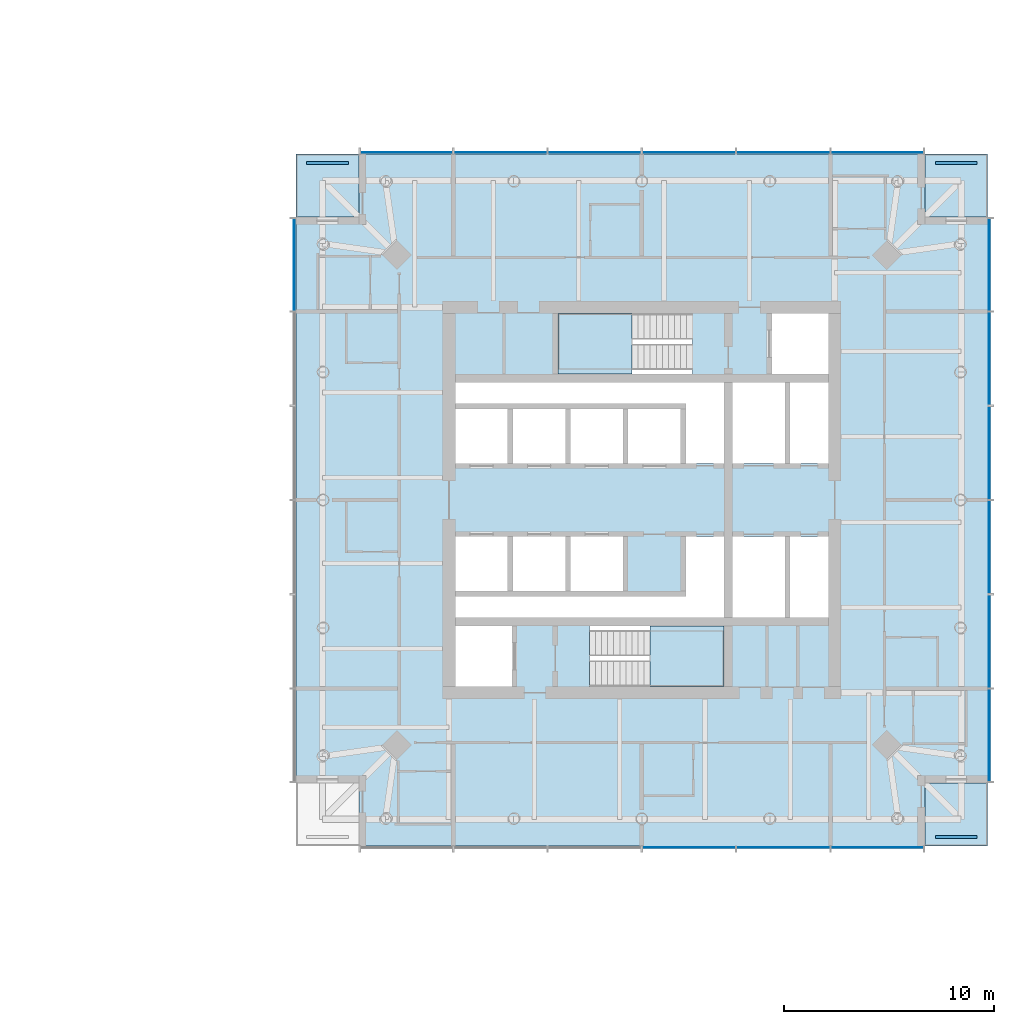
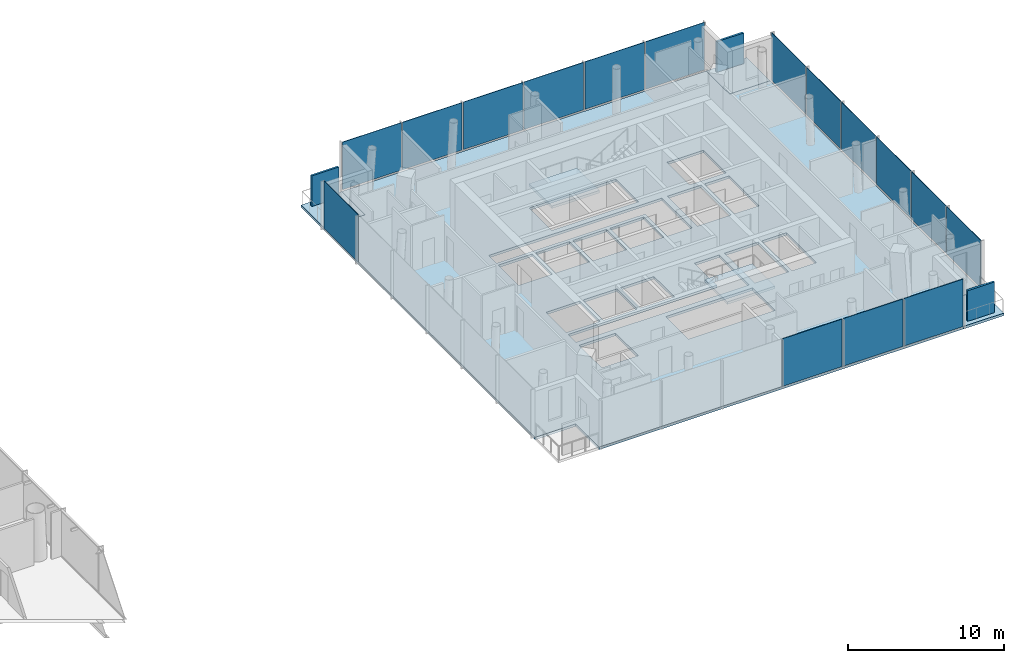
# One storey, part 8 of 20: 19 plates, 6 slabs, 6 elements without a shape of their own.
"""IFC4 building model written with IfcOpenShell, lengths in metres."""

from ifc_helpers import new_model, si_unit, direction, frame, origin, origin_2d, place, context, subcontext, project, spatial, polyline, rectangle, outline, extrude, material, layer, layer_set, type_object, element, aggregate, save


model = new_model("IFC4")

# Units and contexts
model_context = context("Model", 3, precision=1e-05, world=origin(), true_north=direction((0.0, 1.0)))
body_context = subcontext(model_context, "Body", "Model", "MODEL_VIEW")
ifc_project = project(units=[si_unit("LENGTHUNIT", "METRE"), si_unit("AREAUNIT", "SQUARE_METRE"), si_unit("VOLUMEUNIT", "CUBIC_METRE"), si_unit("PLANEANGLEUNIT", "RADIAN"), si_unit("MASSUNIT", "GRAM", prefix="KILO")], contexts=[model_context])

# Site, building, storey
site_placement = place(None, origin())
site = spatial("IfcSite", under=ifc_project, at=site_placement, CompositionType="ELEMENT")
building_placement = place(site_placement, origin())
building = spatial("IfcBuilding", under=site, at=building_placement, Name="Ostroluk Exchange", CompositionType="ELEMENT")
storey_placement = place(building_placement, frame((0.0, 0.0, 108.39990234375)))
storey = spatial("IfcBuildingStorey", under=building, at=storey_placement, Name="L27", CompositionType="ELEMENT", Elevation=108.39990234375)

# Curtain wall, plates
ifc_material_1 = material(Name="Laminated clear glass", Category="glass")
curtain_wall_type = type_object("IfcCurtainWallType", Name="Hotel guest floor facade", PredefinedType="USERDEFINED", material=ifc_material_1)
curtain_wall_1_placement = place(storey_placement, origin())
curtain_wall_1 = element("IfcCurtainWall", 1, at=curtain_wall_1_placement, inside=storey, type_object=curtain_wall_type, Name="Hotel tower south facade L27", ObjectType="UNITISED CURTAIN WALL", PredefinedType="USERDEFINED")
ifc_material_2 = material(Name="Laminated clear glass", Category="glass")
ifc_layer_1 = layer(ifc_material_2, 0.0400390625)
ifc_layer_set_1 = layer_set([ifc_layer_1], Name="Acoustic laminated glazing 40")
plate_type_1 = type_object("IfcPlateType", Name="Acoustic laminated glazing 40", PredefinedType="CURTAIN_PANEL", material=ifc_layer_set_1)
plate_1_placement = place(storey_placement, frame((119.25, 29.425048828125, 0.080078125), z_axis=(0.0, 0.0, 1.0), x_axis=(1.0, 0.0, 0.0)))
plate_1 = element("IfcPlate", 2, at=plate_1_placement, type_object=plate_type_1, Name="CW-H1 panel 4.1", PredefinedType="CURTAIN_PANEL", context=body_context, shape_type="SweptSolid", body=[
    extrude(rectangle(XDim=4.419921875, YDim=0.0400390625, at=origin_2d()), origin(), (0.0, 0.0, 1.0), 3.719970703125),
])
plate_2_placement = place(storey_placement, frame((123.75, 29.425048828125, 0.080078125), z_axis=(0.0, 0.0, 1.0), x_axis=(1.0, 0.0, 0.0)))
plate_2 = element("IfcPlate", 3, at=plate_2_placement, type_object=plate_type_1, Name="CW-H1 panel 5.1", PredefinedType="CURTAIN_PANEL", context=body_context, shape_type="SweptSolid", body=[
    extrude(rectangle(XDim=4.419921875, YDim=0.0400390625, at=origin_2d()), origin(), (0.0, 0.0, 1.0), 3.719970703125),
])
plate_3_placement = place(storey_placement, frame((128.22998046875, 29.425048828125, 0.080078125), z_axis=(0.0, 0.0, 1.0), x_axis=(1.0, 0.0, 0.0)))
plate_3 = element("IfcPlate", 4, at=plate_3_placement, type_object=plate_type_1, Name="CW-H1 panel 6.1", PredefinedType="CURTAIN_PANEL", context=body_context, shape_type="SweptSolid", body=[
    extrude(rectangle(XDim=4.3798828125, YDim=0.0400390625, at=origin_2d()), origin(), (0.0, 0.0, 1.0), 3.719970703125),
])
aggregate(curtain_wall_1, [plate_1, plate_2, plate_3])

curtain_wall_2_placement = place(storey_placement, origin())
curtain_wall_2 = element("IfcCurtainWall", 5, at=curtain_wall_2_placement, inside=storey, type_object=curtain_wall_type, Name="Hotel tower east facade L27", ObjectType="UNITISED CURTAIN WALL", PredefinedType="USERDEFINED")
plate_4_placement = place(storey_placement, frame((133.574951171875, 34.77001953125, 0.080078125), z_axis=(0.0, 0.0, 1.0), x_axis=(0.0, 1.0, 0.0)))
plate_4 = element("IfcPlate", 6, at=plate_4_placement, type_object=plate_type_1, Name="CW-H1 panel 1.1", PredefinedType="CURTAIN_PANEL", context=body_context, shape_type="SweptSolid", body=[
    extrude(rectangle(XDim=4.3798828125, YDim=0.0400390625, at=origin_2d()), origin(), (0.0, 0.0, 1.0), 3.719970703125),
])
plate_5_placement = place(storey_placement, frame((133.574951171875, 39.25, 0.080078125), z_axis=(0.0, 0.0, 1.0), x_axis=(0.0, 1.0, 0.0)))
plate_5 = element("IfcPlate", 7, at=plate_5_placement, type_object=plate_type_1, Name="CW-H1 panel 2.1", PredefinedType="CURTAIN_PANEL", context=body_context, shape_type="SweptSolid", body=[
    extrude(rectangle(XDim=4.419921875, YDim=0.0400390625, at=origin_2d()), origin(), (0.0, 0.0, 1.0), 3.719970703125),
])
plate_6_placement = place(storey_placement, frame((133.574951171875, 43.75, 0.080078125), z_axis=(0.0, 0.0, 1.0), x_axis=(0.0, 1.0, 0.0)))
plate_6 = element("IfcPlate", 8, at=plate_6_placement, type_object=plate_type_1, Name="CW-H1 panel 3.1", PredefinedType="CURTAIN_PANEL", context=body_context, shape_type="SweptSolid", body=[
    extrude(rectangle(XDim=4.419921875, YDim=0.0400390625, at=origin_2d()), origin(), (0.0, 0.0, 1.0), 3.719970703125),
])
plate_7_placement = place(storey_placement, frame((133.574951171875, 48.25, 0.080078125), z_axis=(0.0, 0.0, 1.0), x_axis=(0.0, 1.0, 0.0)))
plate_7 = element("IfcPlate", 9, at=plate_7_placement, type_object=plate_type_1, Name="CW-H1 panel 4.1", PredefinedType="CURTAIN_PANEL", context=body_context, shape_type="SweptSolid", body=[
    extrude(rectangle(XDim=4.419921875, YDim=0.0400390625, at=origin_2d()), origin(), (0.0, 0.0, 1.0), 3.719970703125),
])
plate_8_placement = place(storey_placement, frame((133.574951171875, 52.75, 0.080078125), z_axis=(0.0, 0.0, 1.0), x_axis=(0.0, 1.0, 0.0)))
plate_8 = element("IfcPlate", 10, at=plate_8_placement, type_object=plate_type_1, Name="CW-H1 panel 5.1", PredefinedType="CURTAIN_PANEL", context=body_context, shape_type="SweptSolid", body=[
    extrude(rectangle(XDim=4.419921875, YDim=0.0400390625, at=origin_2d()), origin(), (0.0, 0.0, 1.0), 3.719970703125),
])
plate_9_placement = place(storey_placement, frame((133.574951171875, 57.22998046875, 0.080078125), z_axis=(0.0, 0.0, 1.0), x_axis=(0.0, 1.0, 0.0)))
plate_9 = element("IfcPlate", 11, at=plate_9_placement, type_object=plate_type_1, Name="CW-H1 panel 6.1", PredefinedType="CURTAIN_PANEL", context=body_context, shape_type="SweptSolid", body=[
    extrude(rectangle(XDim=4.3798828125, YDim=0.0400390625, at=origin_2d()), origin(), (0.0, 0.0, 1.0), 3.719970703125),
])
aggregate(curtain_wall_2, [plate_4, plate_5, plate_6, plate_7, plate_8, plate_9])

curtain_wall_3_placement = place(storey_placement, origin())
curtain_wall_3 = element("IfcCurtainWall", 12, at=curtain_wall_3_placement, inside=storey, type_object=curtain_wall_type, Name="Hotel tower north facade L27", ObjectType="UNITISED CURTAIN WALL", PredefinedType="USERDEFINED")
plate_10_placement = place(storey_placement, frame((128.22998046875, 62.574951171875, 0.080078125), z_axis=(0.0, 0.0, 1.0), x_axis=(-1.0, 0.0, 0.0)))
plate_10 = element("IfcPlate", 13, at=plate_10_placement, type_object=plate_type_1, Name="CW-H1 panel 1.1", PredefinedType="CURTAIN_PANEL", context=body_context, shape_type="SweptSolid", body=[
    extrude(rectangle(XDim=4.3798828125, YDim=0.0400390625, at=origin_2d()), origin(), (0.0, 0.0, 1.0), 3.719970703125),
])
plate_11_placement = place(storey_placement, frame((123.75, 62.574951171875, 0.080078125), z_axis=(0.0, 0.0, 1.0), x_axis=(-1.0, 0.0, 0.0)))
plate_11 = element("IfcPlate", 14, at=plate_11_placement, type_object=plate_type_1, Name="CW-H1 panel 2.1", PredefinedType="CURTAIN_PANEL", context=body_context, shape_type="SweptSolid", body=[
    extrude(rectangle(XDim=4.419921875, YDim=0.0400390625, at=origin_2d()), origin(), (0.0, 0.0, 1.0), 3.719970703125),
])
plate_12_placement = place(storey_placement, frame((119.25, 62.574951171875, 0.080078125), z_axis=(0.0, 0.0, 1.0), x_axis=(-1.0, 0.0, 0.0)))
plate_12 = element("IfcPlate", 15, at=plate_12_placement, type_object=plate_type_1, Name="CW-H1 panel 3.1", PredefinedType="CURTAIN_PANEL", context=body_context, shape_type="SweptSolid", body=[
    extrude(rectangle(XDim=4.419921875, YDim=0.0400390625, at=origin_2d()), origin(), (0.0, 0.0, 1.0), 3.719970703125),
])
plate_13_placement = place(storey_placement, frame((114.75, 62.574951171875, 0.080078125), z_axis=(0.0, 0.0, 1.0), x_axis=(-1.0, 0.0, 0.0)))
plate_13 = element("IfcPlate", 16, at=plate_13_placement, type_object=plate_type_1, Name="CW-H1 panel 4.1", PredefinedType="CURTAIN_PANEL", context=body_context, shape_type="SweptSolid", body=[
    extrude(rectangle(XDim=4.419921875, YDim=0.0400390625, at=origin_2d()), origin(), (0.0, 0.0, 1.0), 3.719970703125),
])
plate_14_placement = place(storey_placement, frame((110.25, 62.574951171875, 0.080078125), z_axis=(0.0, 0.0, 1.0), x_axis=(-1.0, 0.0, 0.0)))
plate_14 = element("IfcPlate", 17, at=plate_14_placement, type_object=plate_type_1, Name="CW-H1 panel 5.1", PredefinedType="CURTAIN_PANEL", context=body_context, shape_type="SweptSolid", body=[
    extrude(rectangle(XDim=4.419921875, YDim=0.0400390625, at=origin_2d()), origin(), (0.0, 0.0, 1.0), 3.719970703125),
])
plate_15_placement = place(storey_placement, frame((105.77001953125, 62.574951171875, 0.080078125), z_axis=(0.0, 0.0, 1.0), x_axis=(-1.0, 0.0, 0.0)))
plate_15 = element("IfcPlate", 18, at=plate_15_placement, type_object=plate_type_1, Name="CW-H1 panel 6.1", PredefinedType="CURTAIN_PANEL", context=body_context, shape_type="SweptSolid", body=[
    extrude(rectangle(XDim=4.3798828125, YDim=0.0400390625, at=origin_2d()), origin(), (0.0, 0.0, 1.0), 3.719970703125),
])
aggregate(curtain_wall_3, [plate_10, plate_11, plate_12, plate_13, plate_14, plate_15])

# Curtain wall, plate
curtain_wall_4_placement = place(storey_placement, origin())
curtain_wall_4 = element("IfcCurtainWall", 19, at=curtain_wall_4_placement, inside=storey, type_object=curtain_wall_type, Name="Hotel tower west facade L27", ObjectType="UNITISED CURTAIN WALL", PredefinedType="USERDEFINED")
plate_16_placement = place(storey_placement, frame((100.425048828125, 57.22998046875, 0.080078125), z_axis=(0.0, 0.0, 1.0), x_axis=(0.0, -1.0, 0.0)))
plate_16 = element("IfcPlate", 20, at=plate_16_placement, type_object=plate_type_1, Name="CW-H1 panel 1.1", PredefinedType="CURTAIN_PANEL", context=body_context, shape_type="SweptSolid", body=[
    extrude(rectangle(XDim=4.3798828125, YDim=0.0400390625, at=origin_2d()), origin(), (0.0, 0.0, 1.0), 3.719970703125),
])
aggregate(curtain_wall_4, [plate_16])

# Slabs
ifc_material_3 = material(Name="Concrete C35/45", Category="concrete")
ifc_layer_2 = layer(ifc_material_3, 0.199951171875)
ifc_layer_set_2 = layer_set([ifc_layer_2], Name="Balcony slab 200")
slab_type_1 = type_object("IfcSlabType", Name="Balcony slab 200", PredefinedType="USERDEFINED", material=ifc_layer_set_2)
slab_1_placement = place(storey_placement, frame((0.0, 0.0, -0.199951171875)))
element("IfcSlab", 21, at=slab_1_placement, inside=storey, type_object=slab_type_1, Name="Hotel tower SE corner balcony L27", ObjectType="BALCONY", PredefinedType="USERDEFINED", context=body_context, shape_type="SweptSolid", body=[
    extrude(outline(polyline([(130.5, 29.5), (133.5, 29.5), (133.5, 32.5), (130.5, 32.5), (130.5, 29.5)])), origin(), (0.0, 0.0, 1.0), 0.199951171875),
])
slab_2_placement = place(storey_placement, frame((0.0, 0.0, -0.199951171875)))
element("IfcSlab", 22, at=slab_2_placement, inside=storey, type_object=slab_type_1, Name="Hotel tower NE corner balcony L27", ObjectType="BALCONY", PredefinedType="USERDEFINED", context=body_context, shape_type="SweptSolid", body=[
    extrude(outline(polyline([(130.5, 59.5), (133.5, 59.5), (133.5, 62.5), (130.5, 62.5), (130.5, 59.5)])), origin(), (0.0, 0.0, 1.0), 0.199951171875),
])
slab_3_placement = place(storey_placement, frame((0.0, 0.0, -0.199951171875)))
element("IfcSlab", 23, at=slab_3_placement, inside=storey, type_object=slab_type_1, Name="Hotel tower NW corner balcony L27", ObjectType="BALCONY", PredefinedType="USERDEFINED", context=body_context, shape_type="SweptSolid", body=[
    extrude(outline(polyline([(100.5, 59.5), (103.5, 59.5), (103.5, 62.5), (100.5, 62.5), (100.5, 59.5)])), origin(), (0.0, 0.0, 1.0), 0.199951171875),
])

# Plates
ifc_material_4 = material(Name="Steel S355 trellis with planting", Category="steel")
ifc_layer_3 = layer(ifc_material_4, 0.14990234375)
ifc_layer_set_3 = layer_set([ifc_layer_3], Name="Planted screen 150")
plate_type_2 = type_object("IfcPlateType", Name="Planted screen 150", PredefinedType="USERDEFINED", material=ifc_layer_set_3)
for number, where, z_axis, x_axis, name in (
    (24, (132.0, 29.925048828125, 0.000244140625), (0.0, 0.0, 1.0), (1.0, 0.0, 0.0), "Hotel tower SE planted screen L27"),
    (25, (132.0, 62.074951171875, 0.000244140625), (0.0, 0.0, 1.0), (1.0, 0.0, 0.0), "Hotel tower NE planted screen L27"),
    (26, (102.0, 62.074951171875, 0.000244140625), (0.0, 0.0, 1.0), (1.0, 0.0, 0.0), "Hotel tower NW planted screen L27"),
):
    element("IfcPlate", number, at=place(storey_placement, frame(where, z_axis=z_axis, x_axis=x_axis)), inside=storey, type_object=plate_type_2, Name=name, ObjectType="PLANTED SCREEN", PredefinedType="USERDEFINED", context=body_context, shape_type="SweptSolid", body=[
        extrude(rectangle(XDim=2.0, YDim=0.14990234375, at=origin_2d()), origin(), (0.0, 0.0, 1.0), 2.39990234375),
    ])

# Stair, slab
ifc_material_5 = material(Name="Concrete C30/37", Category="concrete")
stair_type = type_object("IfcStairType", Name="Exit stair half turn 3800", PredefinedType="HALF_TURN_STAIR", material=ifc_material_5)
stair_1_placement = place(storey_placement, origin())
stair_1 = element("IfcStair", 27, at=stair_1_placement, inside=storey, type_object=stair_type, Name="Stair T2-S1 L27", PredefinedType="HALF_TURN_STAIR")
ifc_material_6 = material(Name="Concrete C30/37", Category="concrete")
ifc_layer_4 = layer(ifc_material_6, 0.199951171875)
ifc_layer_set_4 = layer_set([ifc_layer_4], Name="Stair landing 200")
slab_type_2 = type_object("IfcSlabType", Name="Stair landing 200", PredefinedType="LANDING", material=ifc_layer_set_4)
slab_4_placement = place(storey_placement, frame((0.0, 0.0, 1.7001953125)))
slab_4 = element("IfcSlab", 28, at=slab_4_placement, type_object=slab_type_2, Name="T2-S1 landing 1", PredefinedType="LANDING", context=body_context, shape_type="SweptSolid", body=[
    extrude(outline(polyline([(117.39990234375, 37.10009765625), (117.39990234375, 40.0), (120.929931640625, 40.0), (120.929931640625, 37.10009765625), (117.39990234375, 37.10009765625)])), origin(), (0.0, 0.0, 1.0), 0.199951171875),
])
aggregate(stair_1, [slab_4])

stair_2_placement = place(storey_placement, origin())
stair_2 = element("IfcStair", 29, at=stair_2_placement, inside=storey, type_object=stair_type, Name="Stair T2-S2 L27", PredefinedType="HALF_TURN_STAIR")
slab_5_placement = place(storey_placement, frame((0.0, 0.0, 1.7001953125)))
slab_5 = element("IfcSlab", 30, at=slab_5_placement, type_object=slab_type_2, Name="T2-S2 landing 1", PredefinedType="LANDING", context=body_context, shape_type="SweptSolid", body=[
    extrude(outline(polyline([(116.530029296875, 52.0), (116.530029296875, 54.89990234375), (113.0, 54.89990234375), (113.0, 52.0), (116.530029296875, 52.0)])), origin(), (0.0, 0.0, 1.0), 0.199951171875),
])
aggregate(stair_2, [slab_5])

# Slab
ifc_material_7 = material(Name="Concrete C35/45", Category="concrete")
ifc_layer_5 = layer(ifc_material_7, 0.199951171875)
ifc_layer_set_5 = layer_set([ifc_layer_5], Name="Tower floor slab 200 composite")
slab_type_3 = type_object("IfcSlabType", Name="Tower floor slab 200 composite", PredefinedType="FLOOR", material=ifc_layer_set_5)
slab_6_placement = place(storey_placement, frame((0.0, 0.0, -0.199951171875)))
element("IfcSlab", 31, at=slab_6_placement, inside=storey, type_object=slab_type_3, Name="Hotel tower floor slab L27", PredefinedType="FLOOR", context=body_context, shape_type="SweptSolid", body=[
    extrude(outline(polyline([(103.5, 29.5), (130.5, 29.5), (130.5, 32.5), (133.5, 32.5), (133.5, 59.5), (130.5, 59.5), (130.5, 62.5), (103.5, 62.5), (103.5, 59.5), (100.5, 59.5), (100.5, 32.5), (103.5, 32.5), (103.5, 29.5)]), holes=[polyline([(108.10009765625, 37.10009765625), (110.800048828125, 37.10009765625), (110.800048828125, 40.0), (108.10009765625, 40.0), (108.10009765625, 37.10009765625)]), polyline([(114.510009765625, 37.10009765625), (120.929931640625, 37.10009765625), (120.929931640625, 40.0), (114.510009765625, 40.0), (114.510009765625, 37.10009765625)]), polyline([(113.0, 52.0), (119.419921875, 52.0), (119.419921875, 54.89990234375), (113.0, 54.89990234375), (113.0, 52.0)]), polyline([(123.199951171875, 52.0), (125.89990234375, 52.0), (125.89990234375, 54.89990234375), (123.199951171875, 54.89990234375), (123.199951171875, 52.0)]), polyline([(108.10009765625, 47.75), (110.60009765625, 47.75), (110.60009765625, 50.35009765625), (108.10009765625, 50.35009765625), (108.10009765625, 47.75)]), polyline([(110.85009765625, 47.75), (113.35009765625, 47.75), (113.35009765625, 50.35009765625), (110.85009765625, 50.35009765625), (110.85009765625, 47.75)]), polyline([(113.60009765625, 47.75), (116.10009765625, 47.75), (116.10009765625, 50.35009765625), (113.60009765625, 50.35009765625), (113.60009765625, 47.75)]), polyline([(116.35009765625, 47.75), (118.85009765625, 47.75), (118.85009765625, 50.35009765625), (116.35009765625, 50.35009765625), (116.35009765625, 47.75)]), polyline([(108.10009765625, 41.64990234375), (110.60009765625, 41.64990234375), (110.60009765625, 44.25), (108.10009765625, 44.25), (108.10009765625, 41.64990234375)]), polyline([(110.85009765625, 41.64990234375), (113.35009765625, 41.64990234375), (113.35009765625, 44.25), (110.85009765625, 44.25), (110.85009765625, 41.64990234375)]), polyline([(113.60009765625, 41.64990234375), (116.10009765625, 41.64990234375), (116.10009765625, 44.25), (113.60009765625, 44.25), (113.60009765625, 41.64990234375)]), polyline([(121.330078125, 47.75), (123.830078125, 47.75), (123.830078125, 51.60009765625), (121.330078125, 51.60009765625), (121.330078125, 47.75)]), polyline([(121.330078125, 40.39990234375), (123.830078125, 40.39990234375), (123.830078125, 44.25), (121.330078125, 44.25), (121.330078125, 40.39990234375)]), polyline([(120.929931640625, 51.60009765625), (120.929931640625, 47.75), (119.10009765625, 47.75), (119.10009765625, 50.60009765625), (108.10009765625, 50.60009765625), (108.10009765625, 51.60009765625), (120.929931640625, 51.60009765625)]), polyline([(108.10009765625, 40.39990234375), (108.10009765625, 41.39990234375), (119.10009765625, 41.39990234375), (119.10009765625, 44.25), (120.929931640625, 44.25), (120.929931640625, 40.39990234375), (108.10009765625, 40.39990234375)]), polyline([(124.080078125, 47.75), (125.89990234375, 47.75), (125.89990234375, 51.60009765625), (124.080078125, 51.60009765625), (124.080078125, 47.75)]), polyline([(124.080078125, 40.39990234375), (125.89990234375, 40.39990234375), (125.89990234375, 44.25), (124.080078125, 44.25), (124.080078125, 40.39990234375)])]), origin(), (0.0, 0.0, 1.0), 0.199951171875),
])

save(model, "model.ifc")
